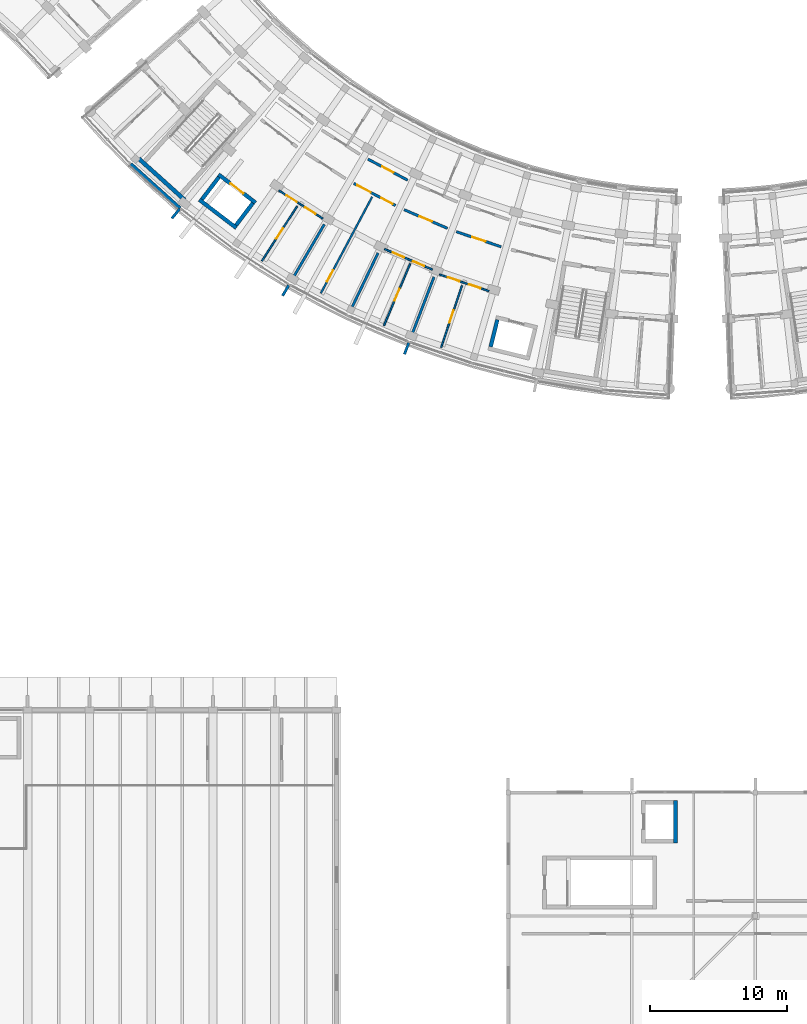
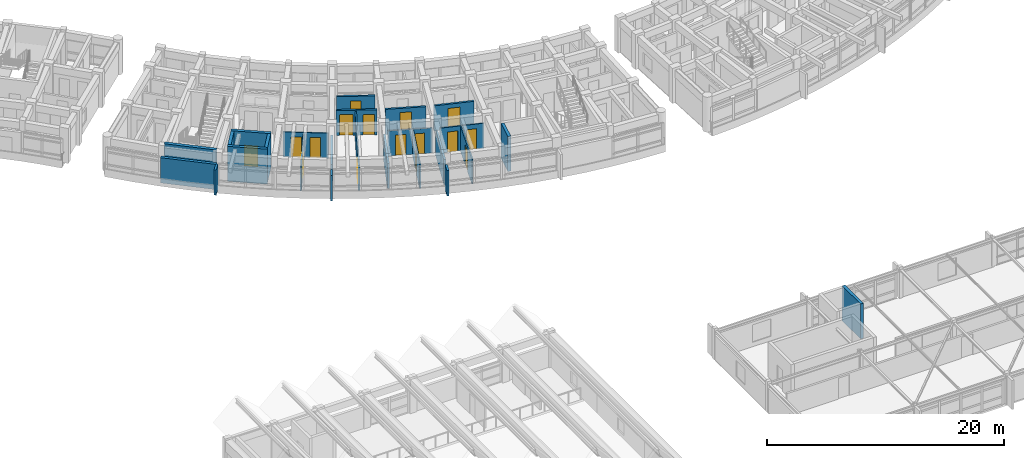
# One storey, part 56 of 83: 25 walls, 16 doors, 16 openings.
"""IFC4 building model written with IfcOpenShell, lengths in metres."""

from ifc_helpers import new_model, si_unit, direction, frame, frame_2d, origin, place, context, subcontext, project, spatial, rectangle, extrude, material, layer, layer_set, type_object, element, fill, save


model = new_model("IFC4")

# Units and contexts
model_context = context("Model", 3, precision=1e-05, world=origin(), true_north=direction((0.0, 1.0)))
body_context = subcontext(model_context, "Body", "Model", "MODEL_VIEW")
ifc_project = project(units=[si_unit("LENGTHUNIT", "METRE"), si_unit("AREAUNIT", "SQUARE_METRE"), si_unit("VOLUMEUNIT", "CUBIC_METRE"), si_unit("PLANEANGLEUNIT", "RADIAN"), si_unit("MASSUNIT", "GRAM", prefix="KILO")], contexts=[model_context])

# Site, building, storey
site_placement = place(None, origin())
site = spatial("IfcSite", under=ifc_project, at=site_placement, CompositionType="ELEMENT")
building_placement = place(site_placement, origin())
building = spatial("IfcBuilding", under=site, at=building_placement, Name="Zimvara Arc Housing Community", CompositionType="ELEMENT")
storey_placement = place(building_placement, frame((0.0, 0.0, 4.5)))
storey = spatial("IfcBuildingStorey", under=building, at=storey_placement, Name="L01", CompositionType="ELEMENT", Elevation=4.5)

# Walls
ifc_material_1 = material(Name="Board-Marked Fair-Faced Concrete C35/45", Category="concrete")
ifc_layer_1 = layer(ifc_material_1, 0.195068359375)
ifc_layer_set_1 = layer_set([ifc_layer_1], Name="Board-Marked Fair-Faced Concrete C35/45")
wall_type_1 = type_object("IfcWallType", Name="EWL-PARA-195", PredefinedType="PARAPET", material=ifc_layer_set_1)
wall_1_placement = place(storey_placement, frame((88.072265625, 64.1025390625, 0.0), z_axis=(0.0, 0.0, 1.0), x_axis=(-0.637967316825, -0.770063440674, 0.0)))
element("IfcWall", 1, at=wall_1_placement, inside=storey, type_object=wall_type_1, Name="finwall:blkC:L01:out:b2", PredefinedType="PARAPET", context=body_context, shape_type="SweptSolid", body=[
    extrude(rectangle(XDim=0.900146484375, YDim=0.195068359375, at=frame_2d((0.4501953125, 0.0))), origin(), (0.0, 0.0, 1.0), 2.60009765625),
])
for number, where, z_axis, x_axis, name in (
    (2, (96.018798828125, 58.546630859375, 0.0), (0.0, 0.0, 1.0), (-0.504005947934, -0.863700182035, 0.0), "finwall:blkC:L01:out:b4"),
    (3, (104.76318359375, 54.35693359375, 0.0), (0.0, 0.0, 1.0), (-0.357033038474, -0.934091756434, 0.0), "finwall:blkC:L01:out:b6"),
):
    element("IfcWall", number, at=place(storey_placement, frame(where, z_axis=z_axis, x_axis=x_axis)), inside=storey, type_object=wall_type_1, Name=name, PredefinedType="PARAPET", context=body_context, shape_type="SweptSolid", body=[
        extrude(rectangle(XDim=0.89990234375, YDim=0.195068359375, at=frame_2d((0.449951171875, 0.0))), origin(), (0.0, 0.0, 1.0), 2.60009765625),
    ])
ifc_material_2 = material(Name="Board-Marked Fair-Faced Concrete C35/45", Category="concrete")
ifc_layer_2 = layer(ifc_material_2, 0.26806640625)
ifc_layer_set_2 = layer_set([ifc_layer_2], Name="Board-Marked Fair-Faced Concrete C35/45")
wall_type_2 = type_object("IfcWallType", Name="EWL-VAR-21", PredefinedType="SOLIDWALL", material=ifc_layer_set_2)
wall_2_placement = place(storey_placement, frame((84.508056640625, 67.36328125, 0.0), z_axis=(0.0, 0.0, 1.0), x_axis=(0.743387539862, -0.668860946369, 0.0)))
element("IfcWall", 4, at=wall_2_placement, inside=storey, type_object=wall_type_2, Name="ewall:blkC:L01:out:b1", PredefinedType="SOLIDWALL", context=body_context, shape_type="SweptSolid", body=[
    extrude(rectangle(XDim=4.80908203125, YDim=0.26806640625, at=frame_2d((2.404541015625, 0.0))), origin(), (0.0, 0.0, 1.0), 2.60009765625),
])

# Wall, openings, doors
ifc_material_3 = material(Name="Concrete C35/45", Category="concrete")
ifc_layer_3 = layer(ifc_material_3, 0.18994140625)
ifc_layer_set_3 = layer_set([ifc_layer_3], Name="Concrete C35/45")
wall_type_3 = type_object("IfcWallType", Name="IWL-CORR-190", PredefinedType="SOLIDWALL", material=ifc_layer_set_3)
wall_3_placement = place(storey_placement, frame((100.750244140625, 65.9560546875, 0.0), z_axis=(0.0, 0.0, 1.0), x_axis=(0.883440266101, -0.468543803963, 0.0)))
wall_3 = element("IfcWall", 5, at=wall_3_placement, inside=storey, type_object=wall_type_3, Name="iwall:blkC:L01:corr_out:b4", PredefinedType="SOLIDWALL", context=body_context, shape_type="SweptSolid", body=[
    extrude(rectangle(XDim=3.435791015625, YDim=0.18994140625, at=frame_2d((1.7177734375, 0.0))), origin(), (0.0, 0.0, 1.0), 2.580078125),
])
opening_1_placement = place(wall_3_placement, frame((0.280029296875, 0.0, 0.0)))
opening_1 = element("IfcOpeningElement", 6, at=opening_1_placement, cuts=wall_3, Name="Opening D07", PredefinedType="OPENING", context=body_context, shape_type="SweptSolid", body=[
    extrude(rectangle(XDim=1.1201171875, YDim=2.14990234375, at=frame_2d((0.56005859375, 1.074951171875))), frame((0.0, 0.10498046875, 0.0), z_axis=(0.0, -1.0, 0.0), x_axis=(1.0, 0.0, 0.0)), (0.0, 0.0, 1.0), 0.2099609375),
])
opening_2_placement = place(wall_3_placement, frame((2.26611328125, 0.0, 0.0)))
opening_2 = element("IfcOpeningElement", 7, at=opening_2_placement, cuts=wall_3, Name="Opening D06", PredefinedType="OPENING", context=body_context, shape_type="SweptSolid", body=[
    extrude(rectangle(XDim=0.949951171875, YDim=2.10009765625, at=frame_2d((0.47509765625, 1.050048828125))), frame((0.0, 0.10498046875, 0.0), z_axis=(0.0, -1.0, 0.0), x_axis=(1.0, 0.0, 0.0)), (0.0, 0.0, 1.0), 0.2099609375),
])
ifc_material_4 = material(Name="Mozambican Hardwood", Category="wood")
door_type_1 = type_object("IfcDoorType", Name="IDR-AMN-1120x2150", OperationType="NOTDEFINED", PredefinedType="DOOR", material=ifc_material_4)
door_1_placement = place(opening_1_placement, origin())
door_1 = element("IfcDoor", 8, at=door_1_placement, inside=storey, type_object=door_type_1, Name="idoor:blkC:L01:amen:b4", OperationType="SINGLE_SWING_RIGHT", OverallHeight=2.14990234375, OverallWidth=1.1201171875, PredefinedType="DOOR", context=body_context, shape_type="SweptSolid", body=[
    extrude(rectangle(XDim=1.1201171875, YDim=2.14990234375, at=frame_2d((0.56005859375, 1.074951171875))), frame((0.0, 0.02490234375, 0.0), z_axis=(0.0, -1.0, 0.0), x_axis=(1.0, 0.0, 0.0)), (0.0, 0.0, 1.0), 0.050048828125),
])
fill(opening_1, door_1)
ifc_material_5 = material(Name="Mozambican Hardwood", Category="wood")
door_type_2 = type_object("IfcDoorType", Name="IDR-AWC-0950x2100", OperationType="NOTDEFINED", PredefinedType="DOOR", material=ifc_material_5)
door_2_placement = place(opening_2_placement, origin())
door_2 = element("IfcDoor", 9, at=door_2_placement, inside=storey, type_object=door_type_2, Name="idoor:blkC:L01:cawc:b4", OperationType="SINGLE_SWING_LEFT", OverallHeight=2.10009765625, OverallWidth=0.949951171875, PredefinedType="DOOR", context=body_context, shape_type="SweptSolid", body=[
    extrude(rectangle(XDim=0.949951171875, YDim=2.10009765625, at=frame_2d((0.47509765625, 1.050048828125))), frame((0.0, 0.02490234375, 0.0), z_axis=(0.0, -1.0, 0.0), x_axis=(1.0, 0.0, 0.0)), (0.0, 0.0, 1.0), 0.050048828125),
])
fill(opening_2, door_2)

# Wall, opening, door
wall_4_placement = place(storey_placement, frame((101.78369140625, 67.726318359375, 0.0), z_axis=(0.0, 0.0, 1.0), x_axis=(0.883444301944, -0.468536194293, 0.0)))
wall_4 = element("IfcWall", 10, at=wall_4_placement, inside=storey, type_object=wall_type_3, Name="iwall:blkC:L01:corr_in:b4", PredefinedType="SOLIDWALL", context=body_context, shape_type="SweptSolid", body=[
    extrude(rectangle(XDim=3.268798828125, YDim=0.18994140625, at=frame_2d((1.63427734375, 0.0))), origin(), (0.0, 0.0, 1.0), 2.580078125),
])
opening_3_placement = place(wall_4_placement, frame((1.17431640625, 0.0, 0.0)))
opening_3 = element("IfcOpeningElement", 11, at=opening_3_placement, cuts=wall_4, Name="Opening D02", PredefinedType="OPENING", context=body_context, shape_type="SweptSolid", body=[
    extrude(rectangle(XDim=0.919921875, YDim=2.10009765625, at=frame_2d((0.4599609375, 1.050048828125))), frame((0.0, 0.10498046875, 0.0), z_axis=(0.0, -1.0, 0.0), x_axis=(1.0, 0.0, 0.0)), (0.0, 0.0, 1.0), 0.2099609375),
])
ifc_material_6 = material(Name="Mozambican Hardwood", Category="wood")
door_type_3 = type_object("IfcDoorType", Name="IDR-RM-0920x2100", OperationType="NOTDEFINED", PredefinedType="DOOR", material=ifc_material_6)
door_3_placement = place(opening_3_placement, origin())
door_3 = element("IfcDoor", 12, at=door_3_placement, inside=storey, type_object=door_type_3, Name="idoor:blkC:L01:in_rm:b4", OperationType="SINGLE_SWING_RIGHT", OverallHeight=2.10009765625, OverallWidth=0.919921875, PredefinedType="DOOR", context=body_context, shape_type="SweptSolid", body=[
    extrude(rectangle(XDim=0.919921875, YDim=2.10009765625, at=frame_2d((0.4599609375, 1.050048828125))), frame((0.0, 0.02490234375, 0.0), z_axis=(0.0, -1.0, 0.0), x_axis=(1.0, 0.0, 0.0)), (0.0, 0.0, 1.0), 0.050048828125),
])
fill(opening_3, door_3)

wall_5_placement = place(storey_placement, frame((104.41650390625, 64.0439453125, 0.0), z_axis=(0.0, 0.0, 1.0), x_axis=(0.918718172399, -0.394913813008, 0.0)))
wall_5 = element("IfcWall", 13, at=wall_5_placement, inside=storey, type_object=wall_type_3, Name="iwall:blkC:L01:corr_out:b5", PredefinedType="SOLIDWALL", context=body_context, shape_type="SweptSolid", body=[
    extrude(rectangle(XDim=3.43603515625, YDim=0.18994140625, at=frame_2d((1.718017578125, 0.0))), origin(), (0.0, 0.0, 1.0), 2.580078125),
])
opening_4_placement = place(wall_5_placement, frame((1.22802734375, 0.0, 0.0)))
opening_4 = element("IfcOpeningElement", 14, at=opening_4_placement, cuts=wall_5, Name="Opening FD-FL1", PredefinedType="OPENING", context=body_context, shape_type="SweptSolid", body=[
    extrude(rectangle(XDim=0.97998046875, YDim=2.14990234375, at=frame_2d((0.489990234375, 1.074951171875))), frame((0.0, 0.10498046875, 0.0), z_axis=(0.0, -1.0, 0.0), x_axis=(1.0, 0.0, 0.0)), (0.0, 0.0, 1.0), 0.2099609375),
])
ifc_material_7 = material(Name="Mozambican Hardwood", Category="wood")
door_type_4 = type_object("IfcDoorType", Name="IDR-FLAT-0980x2150", OperationType="NOTDEFINED", PredefinedType="DOOR", material=ifc_material_7)
door_4_placement = place(opening_4_placement, origin())
door_4 = element("IfcDoor", 15, at=door_4_placement, inside=storey, type_object=door_type_4, Name="idoor:blkC:L01:flat:b5", OperationType="SINGLE_SWING_RIGHT", OverallHeight=2.14990234375, OverallWidth=0.97998046875, PredefinedType="DOOR", context=body_context, shape_type="SweptSolid", body=[
    extrude(rectangle(XDim=0.97998046875, YDim=2.14990234375, at=frame_2d((0.489990234375, 1.074951171875))), frame((0.0, 0.02490234375, 0.0), z_axis=(0.0, -1.0, 0.0), x_axis=(1.0, 0.0, 0.0)), (0.0, 0.0, 1.0), 0.050048828125),
])
fill(opening_4, door_4)

wall_6_placement = place(storey_placement, frame((108.2265625, 62.437255859375, 0.0), z_axis=(0.0, 0.0, 1.0), x_axis=(0.947884468821, -0.318614239745, 0.0)))
wall_6 = element("IfcWall", 16, at=wall_6_placement, inside=storey, type_object=wall_type_3, Name="iwall:blkC:L01:corr_out:b6", PredefinedType="SOLIDWALL", context=body_context, shape_type="SweptSolid", body=[
    extrude(rectangle(XDim=3.435791015625, YDim=0.18994140625, at=frame_2d((1.7177734375, 0.0))), origin(), (0.0, 0.0, 1.0), 2.580078125),
])
opening_5_placement = place(wall_6_placement, frame((1.2080078125, 0.0, 0.0)))
opening_5 = element("IfcOpeningElement", 17, at=opening_5_placement, cuts=wall_6, Name="Opening FD-FL2", PredefinedType="OPENING", context=body_context, shape_type="SweptSolid", body=[
    extrude(rectangle(XDim=1.02001953125, YDim=2.14990234375, at=frame_2d((0.510009765625, 1.074951171875))), frame((0.0, 0.10498046875, 0.0), z_axis=(0.0, -1.0, 0.0), x_axis=(1.0, 0.0, 0.0)), (0.0, 0.0, 1.0), 0.2099609375),
])
ifc_material_8 = material(Name="Mozambican Hardwood", Category="wood")
door_type_5 = type_object("IfcDoorType", Name="IDR-FLAT-1020x2150", OperationType="NOTDEFINED", PredefinedType="DOOR", material=ifc_material_8)
door_5_placement = place(opening_5_placement, origin())
door_5 = element("IfcDoor", 18, at=door_5_placement, inside=storey, type_object=door_type_5, Name="idoor:blkC:L01:flat:b6", OperationType="SINGLE_SWING_RIGHT", OverallHeight=2.14990234375, OverallWidth=1.02001953125, PredefinedType="DOOR", context=body_context, shape_type="SweptSolid", body=[
    extrude(rectangle(XDim=1.02001953125, YDim=2.14990234375, at=frame_2d((0.510009765625, 1.074951171875))), frame((0.0, 0.02490234375, 0.0), z_axis=(0.0, -1.0, 0.0), x_axis=(1.0, 0.0, 0.0)), (0.0, 0.0, 1.0), 0.050048828125),
])
fill(opening_5, door_5)

# Walls
ifc_material_9 = material(Name="Concrete C35/45", Category="concrete")
ifc_layer_4 = layer(ifc_material_9, 0.18505859375)
ifc_layer_set_4 = layer_set([ifc_layer_4], Name="Concrete C35/45")
wall_type_4 = type_object("IfcWallType", Name="IWL-FLAT-185", PredefinedType="SOLIDWALL", material=ifc_layer_set_4)
wall_7_placement = place(storey_placement, frame((98.6005859375, 62.968017578125, 0.0), z_axis=(0.0, 0.0, 1.0), x_axis=(-0.504216452091, -0.863577309475, 0.0)))
element("IfcWall", 19, at=wall_7_placement, inside=storey, type_object=wall_type_4, Name="iwall:blkC:L01:party:b4", PredefinedType="SOLIDWALL", context=body_context, shape_type="SweptSolid", body=[
    extrude(rectangle(XDim=4.35009765625, YDim=0.18505859375, at=frame_2d((2.175048828125, 0.0))), origin(), (0.0, 0.0, 1.0), 2.580078125),
])
wall_8_placement = place(storey_placement, frame((102.517822265625, 60.890380859375, 0.0), z_axis=(0.0, 0.0, 1.0), x_axis=(-0.432108769108, -0.901821496561, 0.0)))
element("IfcWall", 20, at=wall_8_placement, inside=storey, type_object=wall_type_4, Name="iwall:blkC:L01:party:b5", PredefinedType="SOLIDWALL", context=body_context, shape_type="SweptSolid", body=[
    extrude(rectangle(XDim=4.349853515625, YDim=0.18505859375, at=frame_2d((2.1748046875, 0.0))), origin(), (0.0, 0.0, 1.0), 2.580078125),
])
wall_9_placement = place(storey_placement, frame((106.59130859375, 59.139404296875, 0.0), z_axis=(0.0, 0.0, 1.0), x_axis=(-0.357064016205, -0.934079915388, 0.0)))
element("IfcWall", 21, at=wall_9_placement, inside=storey, type_object=wall_type_4, Name="iwall:blkC:L01:party:b6", PredefinedType="SOLIDWALL", context=body_context, shape_type="SweptSolid", body=[
    extrude(rectangle(XDim=4.35009765625, YDim=0.18505859375, at=frame_2d((2.175048828125, 0.0))), origin(), (0.0, 0.0, 1.0), 2.580078125),
])

# Wall, openings, doors
ifc_material_10 = material(Name="Painted Acoustic Plasterboard")
ifc_layer_5 = layer(ifc_material_10, 0.1201171875)
ifc_layer_set_5 = layer_set([ifc_layer_5], Name="Painted Acoustic Plasterboard")
wall_type_5 = type_object("IfcWallType", Name="IWL-PART-120", PredefinedType="PARTITIONING", material=ifc_layer_set_5)
wall_10_placement = place(storey_placement, frame((95.29052734375, 65.4423828125, 0.0), z_axis=(0.0, 0.0, 1.0), x_axis=(0.842267908806, -0.539059152409, 0.0)))
wall_10 = element("IfcWall", 22, at=wall_10_placement, inside=storey, type_object=wall_type_5, Name="iwall:blkC:L01:srv:b3", PredefinedType="PARTITIONING", context=body_context, shape_type="SweptSolid", body=[
    extrude(rectangle(XDim=3.809326171875, YDim=0.1201171875, at=frame_2d((1.90478515625, 0.0))), origin(), (0.0, 0.0, 1.0), 2.580078125),
])
opening_6_placement = place(wall_10_placement, frame((0.64990234375, 0.0, 0.0)))
opening_6 = element("IfcOpeningElement", 23, at=opening_6_placement, cuts=wall_10, Name="Opening D01", PredefinedType="OPENING", context=body_context, shape_type="SweptSolid", body=[
    extrude(rectangle(XDim=0.89990234375, YDim=2.10009765625, at=frame_2d((0.449951171875, 1.050048828125))), frame((0.0, 0.070068359375, 0.0), z_axis=(0.0, -1.0, 0.0), x_axis=(1.0, 0.0, 0.0)), (0.0, 0.0, 1.0), 0.14013671875),
])
opening_7_placement = place(wall_10_placement, frame((2.279541015625, 0.0, 0.0)))
opening_7 = element("IfcOpeningElement", 24, at=opening_7_placement, cuts=wall_10, Name="Opening D05", PredefinedType="OPENING", context=body_context, shape_type="SweptSolid", body=[
    extrude(rectangle(XDim=0.8798828125, YDim=2.10009765625, at=frame_2d((0.43994140625, 1.050048828125))), frame((0.0, 0.070068359375, 0.0), z_axis=(0.0, -1.0, 0.0), x_axis=(1.0, 0.0, 0.0)), (0.0, 0.0, 1.0), 0.14013671875),
])
ifc_material_11 = material(Name="Mozambican Hardwood", Category="wood")
door_type_6 = type_object("IfcDoorType", Name="IDR-RM-0900x2100", OperationType="NOTDEFINED", PredefinedType="DOOR", material=ifc_material_11)
door_6_placement = place(opening_6_placement, origin())
door_6 = element("IfcDoor", 25, at=door_6_placement, inside=storey, type_object=door_type_6, Name="idoor:blkC:L01:kit_liv:b3", OperationType="SINGLE_SWING_LEFT", OverallHeight=2.10009765625, OverallWidth=0.89990234375, PredefinedType="DOOR", context=body_context, shape_type="SweptSolid", body=[
    extrude(rectangle(XDim=0.89990234375, YDim=2.10009765625, at=frame_2d((0.449951171875, 1.050048828125))), frame((0.0, 0.02490234375, 0.0), z_axis=(0.0, -1.0, 0.0), x_axis=(1.0, 0.0, 0.0)), (0.0, 0.0, 1.0), 0.050048828125),
])
fill(opening_6, door_6)
ifc_material_12 = material(Name="Mozambican Hardwood", Category="wood")
door_type_7 = type_object("IfcDoorType", Name="IDR-WC-0880x2100", OperationType="NOTDEFINED", PredefinedType="DOOR", material=ifc_material_12)
door_7_placement = place(opening_7_placement, origin())
door_7 = element("IfcDoor", 26, at=door_7_placement, inside=storey, type_object=door_type_7, Name="idoor:blkC:L01:bath_d:b3", OperationType="SINGLE_SWING_RIGHT", OverallHeight=2.10009765625, OverallWidth=0.8798828125, PredefinedType="DOOR", context=body_context, shape_type="SweptSolid", body=[
    extrude(rectangle(XDim=0.8798828125, YDim=2.10009765625, at=frame_2d((0.43994140625, 1.050048828125))), frame((0.0, 0.02490234375, 0.0), z_axis=(0.0, -1.0, 0.0), x_axis=(1.0, 0.0, 0.0)), (0.0, 0.0, 1.0), 0.050048828125),
])
fill(opening_7, door_7)

# Wall, opening, door
wall_11_placement = place(storey_placement, frame((96.625244140625, 64.297607421875, 0.0), z_axis=(0.0, 0.0, 1.0), x_axis=(-0.541632735422, -0.840615238929, 0.0)))
wall_11 = element("IfcWall", 27, at=wall_11_placement, inside=storey, type_object=wall_type_5, Name="iwall:blkC:L01:bed_div:b3", PredefinedType="PARTITIONING", context=body_context, shape_type="SweptSolid", body=[
    extrude(rectangle(XDim=4.75, YDim=0.1201171875, at=frame_2d((2.375, 0.0))), origin(), (0.0, 0.0, 1.0), 2.580078125),
])
opening_8_placement = place(wall_11_placement, frame((1.925048828125, 0.0, 0.0)))
opening_8 = element("IfcOpeningElement", 28, at=opening_8_placement, cuts=wall_11, Name="Opening D01", PredefinedType="OPENING", context=body_context, shape_type="SweptSolid", body=[
    extrude(rectangle(XDim=0.89990234375, YDim=2.10009765625, at=frame_2d((0.449951171875, 1.050048828125))), frame((0.0, 0.070068359375, 0.0), z_axis=(0.0, -1.0, 0.0), x_axis=(1.0, 0.0, 0.0)), (0.0, 0.0, 1.0), 0.14013671875),
])
door_8_placement = place(opening_8_placement, origin())
door_8 = element("IfcDoor", 29, at=door_8_placement, inside=storey, type_object=door_type_6, Name="idoor:blkC:L01:bed_d:b3", OperationType="SINGLE_SWING_LEFT", OverallHeight=2.10009765625, OverallWidth=0.89990234375, PredefinedType="DOOR", context=body_context, shape_type="SweptSolid", body=[
    extrude(rectangle(XDim=0.89990234375, YDim=2.10009765625, at=frame_2d((0.449951171875, 1.050048828125))), frame((0.0, 0.02490234375, 0.0), z_axis=(0.0, -1.0, 0.0), x_axis=(1.0, 0.0, 0.0)), (0.0, 0.0, 1.0), 0.050048828125),
])
fill(opening_8, door_8)

wall_12_placement = place(storey_placement, frame((104.8603515625, 60.10693359375, 0.0), z_axis=(0.0, 0.0, 1.0), x_axis=(-0.390783996242, -0.920482410631, 0.0)))
wall_12 = element("IfcWall", 30, at=wall_12_placement, inside=storey, type_object=wall_type_5, Name="iwall:blkC:L01:bed_div:b5", PredefinedType="PARTITIONING", context=body_context, shape_type="SweptSolid", body=[
    extrude(rectangle(XDim=4.89990234375, YDim=0.1201171875, at=frame_2d((2.449951171875, 0.0))), origin(), (0.0, 0.0, 1.0), 2.580078125),
])
opening_9_placement = place(wall_12_placement, frame((1.97998046875, 0.0, 0.0)))
opening_9 = element("IfcOpeningElement", 31, at=opening_9_placement, cuts=wall_12, Name="Opening D03", PredefinedType="OPENING", context=body_context, shape_type="SweptSolid", body=[
    extrude(rectangle(XDim=0.93994140625, YDim=2.10009765625, at=frame_2d((0.469970703125, 1.050048828125))), frame((0.0, 0.070068359375, 0.0), z_axis=(0.0, -1.0, 0.0), x_axis=(1.0, 0.0, 0.0)), (0.0, 0.0, 1.0), 0.14013671875),
])
ifc_material_13 = material(Name="Mozambican Hardwood", Category="wood")
door_type_8 = type_object("IfcDoorType", Name="IDR-RM-0940x2100", OperationType="NOTDEFINED", PredefinedType="DOOR", material=ifc_material_13)
door_9_placement = place(opening_9_placement, origin())
door_9 = element("IfcDoor", 32, at=door_9_placement, inside=storey, type_object=door_type_8, Name="idoor:blkC:L01:bed_d:b5", OperationType="SINGLE_SWING_LEFT", OverallHeight=2.10009765625, OverallWidth=0.93994140625, PredefinedType="DOOR", context=body_context, shape_type="SweptSolid", body=[
    extrude(rectangle(XDim=0.93994140625, YDim=2.10009765625, at=frame_2d((0.469970703125, 1.050048828125))), frame((0.0, 0.02490234375, 0.0), z_axis=(0.0, -1.0, 0.0), x_axis=(1.0, 0.0, 0.0)), (0.0, 0.0, 1.0), 0.050048828125),
])
fill(opening_9, door_9)

wall_13_placement = place(storey_placement, frame((108.6328125, 58.510986328125, 0.0), z_axis=(0.0, 0.0, 1.0), x_axis=(-0.320064719126, -0.947395680574, 0.0)))
wall_13 = element("IfcWall", 33, at=wall_13_placement, inside=storey, type_object=wall_type_5, Name="iwall:blkC:L01:bed_div:b6", PredefinedType="PARTITIONING", context=body_context, shape_type="SweptSolid", body=[
    extrude(rectangle(XDim=4.749755859375, YDim=0.1201171875, at=frame_2d((2.375, 0.0))), origin(), (0.0, 0.0, 1.0), 2.580078125),
])
opening_10_placement = place(wall_13_placement, frame((1.89501953125, 0.0, 0.0)))
opening_10 = element("IfcOpeningElement", 34, at=opening_10_placement, cuts=wall_13, Name="Opening D04", PredefinedType="OPENING", context=body_context, shape_type="SweptSolid", body=[
    extrude(rectangle(XDim=0.9599609375, YDim=2.10009765625, at=frame_2d((0.47998046875, 1.050048828125))), frame((0.0, 0.070068359375, 0.0), z_axis=(0.0, -1.0, 0.0), x_axis=(1.0, 0.0, 0.0)), (0.0, 0.0, 1.0), 0.14013671875),
])
ifc_material_14 = material(Name="Mozambican Hardwood", Category="wood")
door_type_9 = type_object("IfcDoorType", Name="IDR-RM-0960x2100", OperationType="NOTDEFINED", PredefinedType="DOOR", material=ifc_material_14)
door_10_placement = place(opening_10_placement, origin())
door_10 = element("IfcDoor", 35, at=door_10_placement, inside=storey, type_object=door_type_9, Name="idoor:blkC:L01:bed_d:b6", OperationType="SINGLE_SWING_RIGHT", OverallHeight=2.10009765625, OverallWidth=0.9599609375, PredefinedType="DOOR", context=body_context, shape_type="SweptSolid", body=[
    extrude(rectangle(XDim=0.9599609375, YDim=2.10009765625, at=frame_2d((0.47998046875, 1.050048828125))), frame((0.0, 0.02490234375, 0.0), z_axis=(0.0, -1.0, 0.0), x_axis=(1.0, 0.0, 0.0)), (0.0, 0.0, 1.0), 0.050048828125),
])
fill(opening_10, door_10)

# Wall, openings, doors
ifc_material_15 = material(Name="Painted Acoustic Plasterboard")
ifc_layer_6 = layer(ifc_material_15, 0.125)
ifc_layer_set_6 = layer_set([ifc_layer_6], Name="Painted Acoustic Plasterboard")
wall_type_6 = type_object("IfcWallType", Name="IWL-PART-125", PredefinedType="PARTITIONING", material=ifc_layer_set_6)
wall_14_placement = place(storey_placement, frame((106.98291015625, 59.32421875, 0.0), z_axis=(0.0, 0.0, 1.0), x_axis=(0.947879193428, -0.318629933725, 0.0)))
wall_14 = element("IfcWall", 36, at=wall_14_placement, inside=storey, type_object=wall_type_6, Name="iwall:blkC:L01:srv:b6", PredefinedType="PARTITIONING", context=body_context, shape_type="SweptSolid", body=[
    extrude(rectangle(XDim=3.8095703125, YDim=0.125, at=frame_2d((1.90478515625, 0.0))), origin(), (0.0, 0.0, 1.0), 2.580078125),
])
opening_11_placement = place(wall_14_placement, frame((0.64990234375, 0.0, 0.0)))
opening_11 = element("IfcOpeningElement", 37, at=opening_11_placement, cuts=wall_14, Name="Opening D01", PredefinedType="OPENING", context=body_context, shape_type="SweptSolid", body=[
    extrude(rectangle(XDim=0.89990234375, YDim=2.10009765625, at=frame_2d((0.449951171875, 1.050048828125))), frame((0.0, 0.072509765625, 0.0), z_axis=(0.0, -1.0, 0.0), x_axis=(1.0, 0.0, 0.0)), (0.0, 0.0, 1.0), 0.14501953125),
])
opening_12_placement = place(wall_14_placement, frame((2.279541015625, 0.0, 0.0)))
opening_12 = element("IfcOpeningElement", 38, at=opening_12_placement, cuts=wall_14, Name="Opening D05", PredefinedType="OPENING", context=body_context, shape_type="SweptSolid", body=[
    extrude(rectangle(XDim=0.8798828125, YDim=2.10009765625, at=frame_2d((0.43994140625, 1.050048828125))), frame((0.0, 0.072509765625, 0.0), z_axis=(0.0, -1.0, 0.0), x_axis=(1.0, 0.0, 0.0)), (0.0, 0.0, 1.0), 0.14501953125),
])
door_11_placement = place(opening_11_placement, origin())
door_11 = element("IfcDoor", 39, at=door_11_placement, inside=storey, type_object=door_type_6, Name="idoor:blkC:L01:kit_liv:b6", OperationType="SINGLE_SWING_RIGHT", OverallHeight=2.10009765625, OverallWidth=0.89990234375, PredefinedType="DOOR", context=body_context, shape_type="SweptSolid", body=[
    extrude(rectangle(XDim=0.89990234375, YDim=2.10009765625, at=frame_2d((0.449951171875, 1.050048828125))), frame((0.0, 0.02490234375, 0.0), z_axis=(0.0, -1.0, 0.0), x_axis=(1.0, 0.0, 0.0)), (0.0, 0.0, 1.0), 0.050048828125),
])
fill(opening_11, door_11)
door_12_placement = place(opening_12_placement, origin())
door_12 = element("IfcDoor", 40, at=door_12_placement, inside=storey, type_object=door_type_7, Name="idoor:blkC:L01:bath_d:b6", OperationType="SINGLE_SWING_LEFT", OverallHeight=2.10009765625, OverallWidth=0.8798828125, PredefinedType="DOOR", context=body_context, shape_type="SweptSolid", body=[
    extrude(rectangle(XDim=0.8798828125, YDim=2.10009765625, at=frame_2d((0.43994140625, 1.050048828125))), frame((0.0, 0.02490234375, 0.0), z_axis=(0.0, -1.0, 0.0), x_axis=(1.0, 0.0, 0.0)), (0.0, 0.0, 1.0), 0.050048828125),
])
fill(opening_12, door_12)

ifc_material_16 = material(Name="Painted Acoustic Plasterboard")
ifc_layer_7 = layer(ifc_material_16, 0.1298828125)
ifc_layer_set_7 = layer_set([ifc_layer_7], Name="Painted Acoustic Plasterboard")
wall_type_7 = type_object("IfcWallType", Name="IWL-PART-130", PredefinedType="PARTITIONING", material=ifc_layer_set_7)
wall_15_placement = place(storey_placement, frame((102.98779296875, 61.177734375, 0.0), z_axis=(0.0, 0.0, 1.0), x_axis=(0.918732171064, -0.394881245253, 0.0)))
wall_15 = element("IfcWall", 41, at=wall_15_placement, inside=storey, type_object=wall_type_7, Name="iwall:blkC:L01:srv:b5", PredefinedType="PARTITIONING", context=body_context, shape_type="SweptSolid", body=[
    extrude(rectangle(XDim=3.79736328125, YDim=0.1298828125, at=frame_2d((1.898681640625, 0.0))), origin(), (0.0, 0.0, 1.0), 2.580078125),
])
opening_13_placement = place(wall_15_placement, frame((0.64990234375, 0.0, 0.0)))
opening_13 = element("IfcOpeningElement", 42, at=opening_13_placement, cuts=wall_15, Name="Opening D01", PredefinedType="OPENING", context=body_context, shape_type="SweptSolid", body=[
    extrude(rectangle(XDim=0.89990234375, YDim=2.10009765625, at=frame_2d((0.449951171875, 1.050048828125))), frame((0.0, 0.074951171875, 0.0), z_axis=(0.0, -1.0, 0.0), x_axis=(1.0, 0.0, 0.0)), (0.0, 0.0, 1.0), 0.14990234375),
])
opening_14_placement = place(wall_15_placement, frame((2.267333984375, 0.0, 0.0)))
opening_14 = element("IfcOpeningElement", 43, at=opening_14_placement, cuts=wall_15, Name="Opening D05", PredefinedType="OPENING", context=body_context, shape_type="SweptSolid", body=[
    extrude(rectangle(XDim=0.8798828125, YDim=2.10009765625, at=frame_2d((0.43994140625, 1.050048828125))), frame((0.0, 0.074951171875, 0.0), z_axis=(0.0, -1.0, 0.0), x_axis=(1.0, 0.0, 0.0)), (0.0, 0.0, 1.0), 0.14990234375),
])
door_13_placement = place(opening_13_placement, origin())
door_13 = element("IfcDoor", 44, at=door_13_placement, inside=storey, type_object=door_type_6, Name="idoor:blkC:L01:kit_liv:b5", OperationType="SINGLE_SWING_LEFT", OverallHeight=2.10009765625, OverallWidth=0.89990234375, PredefinedType="DOOR", context=body_context, shape_type="SweptSolid", body=[
    extrude(rectangle(XDim=0.89990234375, YDim=2.10009765625, at=frame_2d((0.449951171875, 1.050048828125))), frame((0.0, 0.02490234375, 0.0), z_axis=(0.0, -1.0, 0.0), x_axis=(1.0, 0.0, 0.0)), (0.0, 0.0, 1.0), 0.050048828125),
])
fill(opening_13, door_13)
door_14_placement = place(opening_14_placement, origin())
door_14 = element("IfcDoor", 45, at=door_14_placement, inside=storey, type_object=door_type_7, Name="idoor:blkC:L01:bath_d:b5", OperationType="SINGLE_SWING_RIGHT", OverallHeight=2.10009765625, OverallWidth=0.8798828125, PredefinedType="DOOR", context=body_context, shape_type="SweptSolid", body=[
    extrude(rectangle(XDim=0.8798828125, YDim=2.10009765625, at=frame_2d((0.43994140625, 1.050048828125))), frame((0.0, 0.02490234375, 0.0), z_axis=(0.0, -1.0, 0.0), x_axis=(1.0, 0.0, 0.0)), (0.0, 0.0, 1.0), 0.050048828125),
])
fill(opening_14, door_14)

# Wall, opening, door
ifc_material_17 = material(Name="Painted Acoustic Plasterboard")
ifc_layer_8 = layer(ifc_material_17, 0.139892578125)
ifc_layer_set_8 = layer_set([ifc_layer_8], Name="Painted Acoustic Plasterboard")
wall_type_8 = type_object("IfcWallType", Name="IWL-PART-140", PredefinedType="PARTITIONING", material=ifc_layer_set_8)
wall_16_placement = place(storey_placement, frame((102.086669921875, 64.97314453125, 0.0), z_axis=(0.0, 0.0, 1.0), x_axis=(-0.469878800394, -0.882730940287, 0.0)))
wall_16 = element("IfcWall", 46, at=wall_16_placement, inside=storey, type_object=wall_type_8, Name="iwall:blkC:L01:amen_div:b4", PredefinedType="PARTITIONING", context=body_context, shape_type="SweptSolid", body=[
    extrude(rectangle(XDim=7.9501953125, YDim=0.139892578125, at=frame_2d((3.97509765625, 0.0))), origin(), (0.0, 0.0, 1.0), 2.580078125),
])
opening_15_placement = place(wall_16_placement, frame((6.050048828125, 0.0, 0.0)))
opening_15 = element("IfcOpeningElement", 47, at=opening_15_placement, cuts=wall_16, Name="Opening D02", PredefinedType="OPENING", context=body_context, shape_type="SweptSolid", body=[
    extrude(rectangle(XDim=0.919921875, YDim=2.10009765625, at=frame_2d((0.4599609375, 1.050048828125))), frame((0.0, 0.079833984375, 0.0), z_axis=(0.0, -1.0, 0.0), x_axis=(1.0, 0.0, 0.0)), (0.0, 0.0, 1.0), 0.159912109375),
])
door_15_placement = place(opening_15_placement, origin())
door_15 = element("IfcDoor", 48, at=door_15_placement, inside=storey, type_object=door_type_3, Name="idoor:blkC:L01:laund_d:b4", OperationType="SINGLE_SWING_LEFT", OverallHeight=2.10009765625, OverallWidth=0.919921875, PredefinedType="DOOR", context=body_context, shape_type="SweptSolid", body=[
    extrude(rectangle(XDim=0.919921875, YDim=2.10009765625, at=frame_2d((0.4599609375, 1.050048828125))), frame((0.0, 0.02490234375, 0.0), z_axis=(0.0, -1.0, 0.0), x_axis=(1.0, 0.0, 0.0)), (0.0, 0.0, 1.0), 0.050048828125),
])
fill(opening_15, door_15)

ifc_material_18 = material(Name="Concrete C40/50", Category="concrete")
ifc_layer_9 = layer(ifc_material_18, 0.280029296875)
ifc_layer_set_9 = layer_set([ifc_layer_9], Name="Concrete C40/50")
wall_type_9 = type_object("IfcWallType", Name="WL-CORE-280", PredefinedType="SHEAR", material=ifc_layer_set_9)
wall_17_placement = place(storey_placement, frame((90.8994140625, 66.607177734375, 0.0), z_axis=(0.0, 0.0, 1.0), x_axis=(0.795439986025, -0.606032365994, 0.0)))
wall_17 = element("IfcWall", 49, at=wall_17_placement, inside=storey, type_object=wall_type_9, Name="lwall:LF-C1:L01:front", PredefinedType="SHEAR", context=body_context, shape_type="SweptSolid", body=[
    extrude(rectangle(XDim=3.389892578125, YDim=0.280029296875, at=frame_2d((1.69482421875, 0.0))), origin(), (0.0, 0.0, 1.0), 3.60009765625),
])
opening_16_placement = place(wall_17_placement, frame((1.094970703125, 0.0, 0.0)))
opening_16 = element("IfcOpeningElement", 50, at=opening_16_placement, cuts=wall_17, Name="Opening LD-LF-C1", PredefinedType="OPENING", context=body_context, shape_type="SweptSolid", body=[
    extrude(rectangle(XDim=1.199951171875, YDim=2.14990234375, at=frame_2d((0.60009765625, 1.074951171875))), frame((0.0, 0.14990234375, 0.0), z_axis=(0.0, -1.0, 0.0), x_axis=(1.0, 0.0, 0.0)), (0.0, 0.0, 1.0), 0.300048828125),
])
ifc_material_19 = material(Name="Anodised Aluminium AW-6063", Category="aluminium")
door_type_10 = type_object("IfcDoorType", Name="IDR-LD-1200x2150", OperationType="DOUBLE_DOOR_SLIDING", PredefinedType="DOOR", material=ifc_material_19)
door_16_placement = place(opening_16_placement, origin())
door_16 = element("IfcDoor", 51, at=door_16_placement, inside=storey, type_object=door_type_10, Name="Lift LF-C1 Sliding Landing Door L01", OperationType="DOUBLE_DOOR_SLIDING", OverallHeight=2.14990234375, OverallWidth=1.199951171875, PredefinedType="DOOR", context=body_context, shape_type="SweptSolid", body=[
    extrude(rectangle(XDim=1.199951171875, YDim=2.14990234375, at=frame_2d((0.60009765625, 1.074951171875))), frame((0.0, 0.02490234375, 0.0), z_axis=(0.0, -1.0, 0.0), x_axis=(1.0, 0.0, 0.0)), (0.0, 0.0, 1.0), 0.050048828125),
])
fill(opening_16, door_16)

# Walls
wall_18_placement = place(storey_placement, frame((89.49951171875, 64.76953125, 0.0), z_axis=(0.0, 0.0, 1.0), x_axis=(0.795474703455, -0.605986795371, 0.0)))
element("IfcWall", 52, at=wall_18_placement, inside=storey, type_object=wall_type_9, Name="lwall:LF-C1:L01:back", PredefinedType="SHEAR", context=body_context, shape_type="SweptSolid", body=[
    extrude(rectangle(XDim=3.389892578125, YDim=0.280029296875, at=frame_2d((1.69482421875, 0.0))), origin(), (0.0, 0.0, 1.0), 3.60009765625),
])
wall_19_placement = place(storey_placement, frame((90.92578125, 66.410888671875, 0.0), z_axis=(0.0, 0.0, 1.0), x_axis=(-0.605948992168, -0.795503500238, 0.0)))
element("IfcWall", 53, at=wall_19_placement, inside=storey, type_object=wall_type_9, Name="lwall:LF-C1:L01:left", PredefinedType="SHEAR", context=body_context, shape_type="SweptSolid", body=[
    extrude(rectangle(XDim=2.02978515625, YDim=0.280029296875, at=frame_2d((1.014892578125, 0.0))), origin(), (0.0, 0.0, 1.0), 3.60009765625),
])
wall_20_placement = place(storey_placement, frame((93.399658203125, 64.5263671875, 0.0), z_axis=(0.0, 0.0, 1.0), x_axis=(-0.605891019062, -0.795547656033, 0.0)))
element("IfcWall", 54, at=wall_20_placement, inside=storey, type_object=wall_type_9, Name="lwall:LF-C1:L01:right", PredefinedType="SHEAR", context=body_context, shape_type="SweptSolid", body=[
    extrude(rectangle(XDim=2.030029296875, YDim=0.280029296875, at=frame_2d((1.01513671875, 0.0))), origin(), (0.0, 0.0, 1.0), 3.60009765625),
])
wall_21_placement = place(storey_placement, frame((111.210205078125, 56.026611328125, 0.0), z_axis=(0.0, 0.0, 1.0), x_axis=(-0.240186044774, -0.970726873995, 0.0)))
element("IfcWall", 55, at=wall_21_placement, inside=storey, type_object=wall_type_9, Name="lwall:LP-C2:L01:left", PredefinedType="SHEAR", context=body_context, shape_type="SweptSolid", body=[
    extrude(rectangle(XDim=2.02978515625, YDim=0.280029296875, at=frame_2d((1.014892578125, 0.0))), origin(), (0.0, 0.0, 1.0), 3.60009765625),
])
wall_22_placement = place(storey_placement, frame((124.175048828125, 17.925048828125, 0.0), z_axis=(0.0, 0.0, 1.0), x_axis=(0.0, 1.0, 0.0)))
element("IfcWall", 56, at=wall_22_placement, inside=storey, type_object=wall_type_9, Name="lwall:LP-N1:L01:back", PredefinedType="SHEAR", context=body_context, shape_type="SweptSolid", body=[
    extrude(rectangle(XDim=3.08984375, YDim=0.280029296875, at=frame_2d((1.544921875, 0.0))), origin(), (0.0, 0.0, 1.0), 3.60009765625),
])
ifc_material_20 = material(Name="Concrete C40/50", Category="concrete")
ifc_layer_10 = layer(ifc_material_20, 0.300048828125)
ifc_layer_set_10 = layer_set([ifc_layer_10], Name="Concrete C40/50")
wall_type_10 = type_object("IfcWallType", Name="WL-CORE-300", PredefinedType="SHEAR", material=ifc_layer_set_10)
wall_23_placement = place(storey_placement, frame((85.092529296875, 67.759521484375, 0.0), z_axis=(0.0, 0.0, 1.0), x_axis=(0.743372896184, -0.668877221333, 0.0)))
element("IfcWall", 57, at=wall_23_placement, inside=storey, type_object=wall_type_10, Name="cwall:ST-C1:L01:far", PredefinedType="SHEAR", context=body_context, shape_type="SweptSolid", body=[
    extrude(rectangle(XDim=4.47021484375, YDim=0.300048828125, at=frame_2d((2.235107421875, 0.0))), origin(), (0.0, 0.0, 1.0), 3.60009765625),
])

save(model, "model.ifc")
